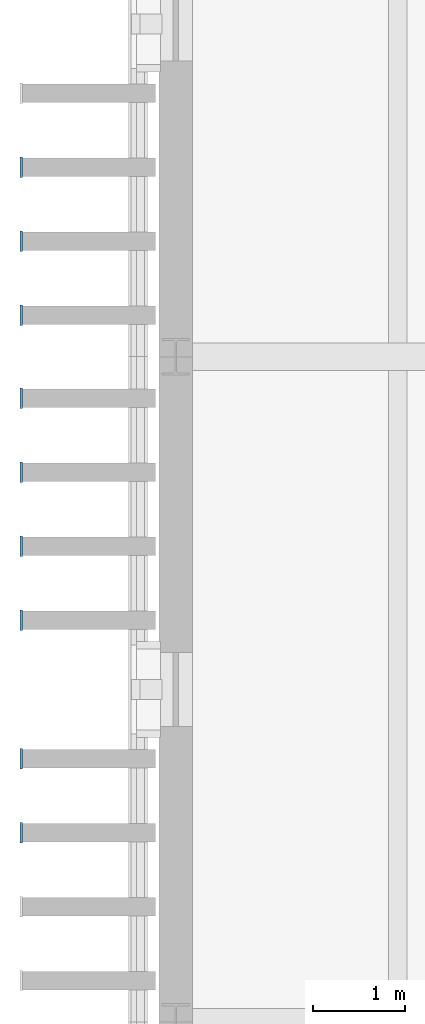
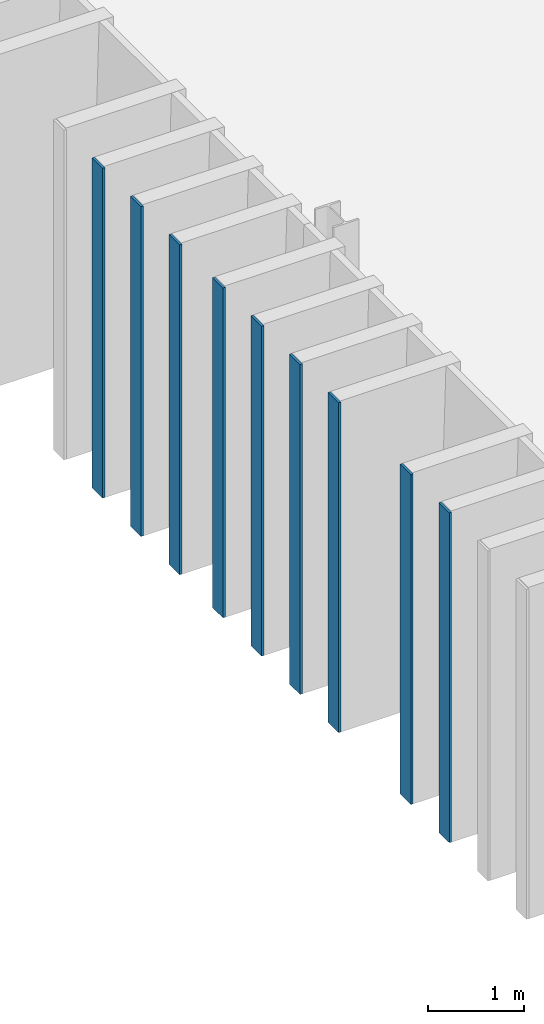
# One storey, part 28 of 66: 9 plates.
"""IFC4 building model written with IfcOpenShell, lengths in metres."""

from ifc_helpers import new_model, si_unit, direction, frame, origin, origin_2d, place, context, subcontext, project, spatial, rectangle, extrude, material, layer, layer_set, type_object, element, save


model = new_model("IFC4")

# Units and contexts
model_context = context("Model", 3, precision=1e-05, world=origin(), true_north=direction((0.0, 1.0)))
body_context = subcontext(model_context, "Body", "Model", "MODEL_VIEW")
ifc_project = project(units=[si_unit("LENGTHUNIT", "METRE"), si_unit("AREAUNIT", "SQUARE_METRE"), si_unit("VOLUMEUNIT", "CUBIC_METRE"), si_unit("PLANEANGLEUNIT", "RADIAN"), si_unit("MASSUNIT", "GRAM", prefix="KILO")], contexts=[model_context])

# Site, building, storey
site_placement = place(None, origin())
site = spatial("IfcSite", under=ifc_project, at=site_placement, CompositionType="ELEMENT")
building_placement = place(site_placement, origin())
building = spatial("IfcBuilding", under=site, at=building_placement, Name="Narikvali Park Central Library", CompositionType="ELEMENT")
storey_placement = place(building_placement, frame((0.0, 0.0, 18.60009765625)))
storey = spatial("IfcBuildingStorey", under=building, at=storey_placement, Name="L04", CompositionType="ELEMENT", Elevation=18.60009765625)

# Plates
ifc_material = material(Name="Anodised Bronze Aluminium", Category="aluminium")
ifc_layer = layer(ifc_material, 0.028076171875, Name="Anodised Bronze Aluminium")
ifc_layer_set = layer_set([ifc_layer], Name="Anodised Bronze Aluminium")
plate_type = type_object("IfcPlateType", Name="Vertical Brick Fin Bronze Bullnose Cap 28", PredefinedType="SHEET", material=ifc_layer_set)
for number, where, z_axis, x_axis, name in (
    (1, (-1.672119140625, 88.449951171875, 0.009765625), (0.0, 0.0, 1.0), (1.0, 0.0, 0.0), "West Stacks Fin Bullnose Trim 377"),
    (2, (-1.672119140625, 89.25, 0.009765625), (0.0, 0.0, 1.0), (1.0, 0.0, 0.0), "West Stacks Fin Bullnose Trim 383"),
    (3, (-1.672119140625, 90.75, 0.009765625), (0.0, 0.0, 1.0), (1.0, 0.0, 0.0), "West Stacks Fin Bullnose Trim 389"),
    (4, (-1.672119140625, 91.550048828125, 0.009765625), (0.0, 0.0, 1.0), (1.0, 0.0, 0.0), "West Stacks Fin Bullnose Trim 395"),
    (5, (-1.672119140625, 92.35009765625, 0.009765625), (0.0, 0.0, 1.0), (1.0, 0.0, 0.0), "West Stacks Fin Bullnose Trim 401"),
    (6, (-1.672119140625, 93.14990234375, 0.009765625), (0.0, 0.0, 1.0), (1.0, 0.0, 0.0), "West Stacks Fin Bullnose Trim 407"),
    (7, (-1.672119140625, 94.050048828125, 0.009765625), (0.0, 0.0, 1.0), (1.0, 0.0, 0.0), "West Stacks Fin Bullnose Trim 413"),
    (8, (-1.672119140625, 94.85009765625, 0.009765625), (0.0, 0.0, 1.0), (1.0, 0.0, 0.0), "West Stacks Fin Bullnose Trim 419"),
    (9, (-1.672119140625, 95.64990234375, 0.009765625), (0.0, 0.0, 1.0), (1.0, 0.0, 0.0), "West Stacks Fin Bullnose Trim 425"),
):
    element("IfcPlate", number, at=place(storey_placement, frame(where, z_axis=z_axis, x_axis=x_axis)), inside=storey, type_object=plate_type, Name=name, PredefinedType="SHEET", context=body_context, shape_type="SweptSolid", body=[
        extrude(rectangle(XDim=0.028076171875, YDim=0.219970703125, at=origin_2d()), origin(), (0.0, 0.0, 1.0), 4.179931640625),
    ])

save(model, "model.ifc")
